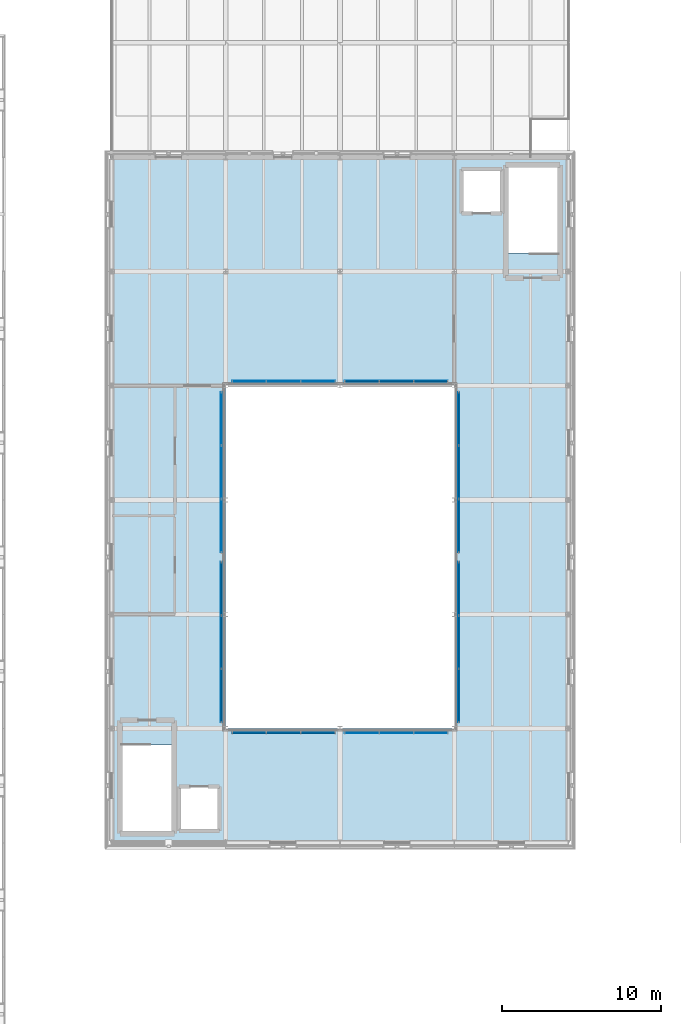
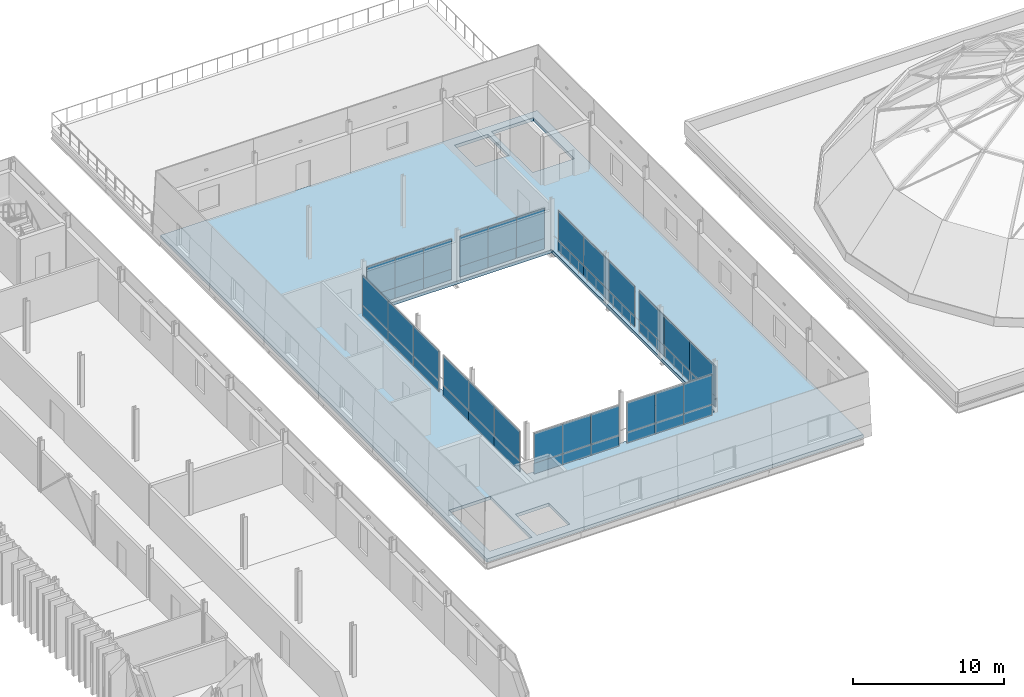
# One storey, part 29 of 66: 48 plates, 1 slab, 8 elements without a shape of their own.
"""IFC4 building model written with IfcOpenShell, lengths in metres."""

from ifc_helpers import new_model, si_unit, direction, frame, origin, origin_2d, place, context, subcontext, project, spatial, polyline, rectangle, outline, extrude, material, layer, layer_set, type_object, element, aggregate, save


model = new_model("IFC4")

# Units and contexts
model_context = context("Model", 3, precision=1e-05, world=origin(), true_north=direction((0.0, 1.0)))
body_context = subcontext(model_context, "Body", "Model", "MODEL_VIEW")
ifc_project = project(units=[si_unit("LENGTHUNIT", "METRE"), si_unit("AREAUNIT", "SQUARE_METRE"), si_unit("VOLUMEUNIT", "CUBIC_METRE"), si_unit("PLANEANGLEUNIT", "RADIAN"), si_unit("MASSUNIT", "GRAM", prefix="KILO")], contexts=[model_context])

# Site, building, storey
site_placement = place(None, origin())
site = spatial("IfcSite", under=ifc_project, at=site_placement, CompositionType="ELEMENT")
building_placement = place(site_placement, origin())
building = spatial("IfcBuilding", under=site, at=building_placement, Name="Narikvali Park Central Library", CompositionType="ELEMENT")
storey_placement = place(building_placement, frame((0.0, 0.0, 18.60009765625)))
storey = spatial("IfcBuildingStorey", under=building, at=storey_placement, Name="L04", CompositionType="ELEMENT", Elevation=18.60009765625)

# Curtain wall, plates
ifc_material_1 = material(Name="Anodised Bronze Aluminium", Category="aluminium")
ifc_layer_1 = layer(ifc_material_1, 0.219970703125, Name="Anodised Bronze Aluminium")
ifc_layer_set_1 = layer_set([ifc_layer_1], Name="Anodised Bronze Aluminium")
curtain_wall_type = type_object("IfcCurtainWallType", Name="Atrium Tall Curtain Wall System", PredefinedType="NOTDEFINED", material=ifc_layer_set_1)
curtain_wall_1_placement = place(storey_placement, origin())
curtain_wall_1 = element("IfcCurtainWall", 1, at=curtain_wall_1_placement, inside=storey, type_object=curtain_wall_type, Name="Atrium Tall Curtain Wall System CW-INT-V4-L04-W1", PredefinedType="NOTDEFINED")
ifc_material_2 = material(Name="Heavy Acoustic Laminated Clerestory Glazing", Category="glass")
ifc_layer_2 = layer(ifc_material_2, 0.06396484375, Name="Heavy Acoustic Laminated Clerestory Glazing")
ifc_layer_set_2 = layer_set([ifc_layer_2], Name="Heavy Acoustic Laminated Clerestory Glazing")
plate_type_1 = type_object("IfcPlateType", Name="Curtain Wall Clerestory Laminated Acoustic Glass 64", PredefinedType="CURTAIN_PANEL", material=ifc_layer_set_2)
plate_1_placement = place(storey_placement, frame((35.719970703125, 66.88330078125, 0.03466796875), z_axis=(0.0, 0.0, 1.0), x_axis=(0.0, 1.0, 0.0)))
plate_1 = element("IfcPlate", 2, at=plate_1_placement, type_object=plate_type_1, Name="CW-INT-V4-L04-W1 Panel 00-0", PredefinedType="CURTAIN_PANEL", context=body_context, shape_type="SweptSolid", body=[
    extrude(rectangle(XDim=3.356689453125, YDim=0.06396484375, at=origin_2d()), origin(), (0.0, 0.0, 1.0), 0.860107421875),
])
plate_2_placement = place(storey_placement, frame((35.719970703125, 70.25, 0.03466796875), z_axis=(0.0, 0.0, 1.0), x_axis=(0.0, 1.0, 0.0)))
plate_2 = element("IfcPlate", 3, at=plate_2_placement, type_object=plate_type_1, Name="CW-INT-V4-L04-W1 Panel 01-0", PredefinedType="CURTAIN_PANEL", context=body_context, shape_type="SweptSolid", body=[
    extrude(rectangle(XDim=3.356689453125, YDim=0.06396484375, at=origin_2d()), origin(), (0.0, 0.0, 1.0), 0.860107421875),
])
plate_3_placement = place(storey_placement, frame((35.719970703125, 73.61669921875, 0.03466796875), z_axis=(0.0, 0.0, 1.0), x_axis=(0.0, 1.0, 0.0)))
plate_3 = element("IfcPlate", 4, at=plate_3_placement, type_object=plate_type_1, Name="CW-INT-V4-L04-W1 Panel 02-0", PredefinedType="CURTAIN_PANEL", context=body_context, shape_type="SweptSolid", body=[
    extrude(rectangle(XDim=3.356689453125, YDim=0.06396484375, at=origin_2d()), origin(), (0.0, 0.0, 1.0), 0.860107421875),
])

curtain_wall_2_placement = place(storey_placement, origin())
curtain_wall_2 = element("IfcCurtainWall", 5, at=curtain_wall_2_placement, inside=storey, type_object=curtain_wall_type, Name="Atrium Tall Curtain Wall System CW-INT-V4-L04-E1", PredefinedType="NOTDEFINED")
plate_4_placement = place(storey_placement, frame((50.679931640625, 66.88330078125, 0.905029296875), z_axis=(0.0, 0.0, 1.0), x_axis=(0.0, 1.0, 0.0)))
plate_4 = element("IfcPlate", 6, at=plate_4_placement, type_object=plate_type_1, Name="CW-INT-V4-L04-E1 Panel 00-1", PredefinedType="CURTAIN_PANEL", context=body_context, shape_type="SweptSolid", body=[
    extrude(rectangle(XDim=3.356689453125, YDim=0.06396484375, at=origin_2d()), origin(), (0.0, 0.0, 1.0), 2.39990234375),
])
plate_5_placement = place(storey_placement, frame((50.679931640625, 70.25, 0.905029296875), z_axis=(0.0, 0.0, 1.0), x_axis=(0.0, 1.0, 0.0)))
plate_5 = element("IfcPlate", 7, at=plate_5_placement, type_object=plate_type_1, Name="CW-INT-V4-L04-E1 Panel 01-1", PredefinedType="CURTAIN_PANEL", context=body_context, shape_type="SweptSolid", body=[
    extrude(rectangle(XDim=3.356689453125, YDim=0.06396484375, at=origin_2d()), origin(), (0.0, 0.0, 1.0), 2.39990234375),
])
plate_6_placement = place(storey_placement, frame((50.679931640625, 73.61669921875, 0.905029296875), z_axis=(0.0, 0.0, 1.0), x_axis=(0.0, 1.0, 0.0)))
plate_6 = element("IfcPlate", 8, at=plate_6_placement, type_object=plate_type_1, Name="CW-INT-V4-L04-E1 Panel 02-1", PredefinedType="CURTAIN_PANEL", context=body_context, shape_type="SweptSolid", body=[
    extrude(rectangle(XDim=3.356689453125, YDim=0.06396484375, at=origin_2d()), origin(), (0.0, 0.0, 1.0), 2.39990234375),
])

curtain_wall_3_placement = place(storey_placement, origin())
curtain_wall_3 = element("IfcCurtainWall", 9, at=curtain_wall_3_placement, inside=storey, type_object=curtain_wall_type, Name="Atrium Tall Curtain Wall System CW-INT-V4-L04-E2", PredefinedType="NOTDEFINED")
plate_7_placement = place(storey_placement, frame((50.679931640625, 77.583251953125, 0.03466796875), z_axis=(0.0, 0.0, 1.0), x_axis=(0.0, 1.0, 0.0)))
plate_7 = element("IfcPlate", 10, at=plate_7_placement, type_object=plate_type_1, Name="CW-INT-V4-L04-E2 Panel 00-0", PredefinedType="CURTAIN_PANEL", context=body_context, shape_type="SweptSolid", body=[
    extrude(rectangle(XDim=3.356689453125, YDim=0.06396484375, at=origin_2d()), origin(), (0.0, 0.0, 1.0), 0.860107421875),
])
plate_8_placement = place(storey_placement, frame((50.679931640625, 80.949951171875, 0.03466796875), z_axis=(0.0, 0.0, 1.0), x_axis=(0.0, 1.0, 0.0)))
plate_8 = element("IfcPlate", 11, at=plate_8_placement, type_object=plate_type_1, Name="CW-INT-V4-L04-E2 Panel 01-0", PredefinedType="CURTAIN_PANEL", context=body_context, shape_type="SweptSolid", body=[
    extrude(rectangle(XDim=3.356689453125, YDim=0.06396484375, at=origin_2d()), origin(), (0.0, 0.0, 1.0), 0.860107421875),
])
plate_9_placement = place(storey_placement, frame((50.679931640625, 84.316650390625, 0.03466796875), z_axis=(0.0, 0.0, 1.0), x_axis=(0.0, 1.0, 0.0)))
plate_9 = element("IfcPlate", 12, at=plate_9_placement, type_object=plate_type_1, Name="CW-INT-V4-L04-E2 Panel 02-0", PredefinedType="CURTAIN_PANEL", context=body_context, shape_type="SweptSolid", body=[
    extrude(rectangle(XDim=3.356689453125, YDim=0.06396484375, at=origin_2d()), origin(), (0.0, 0.0, 1.0), 0.860107421875),
])

curtain_wall_4_placement = place(storey_placement, origin())
curtain_wall_4 = element("IfcCurtainWall", 13, at=curtain_wall_4_placement, inside=storey, type_object=curtain_wall_type, Name="Atrium Tall Curtain Wall System CW-INT-V4-L04-N2", PredefinedType="NOTDEFINED")
plate_10_placement = place(storey_placement, frame((44.583251953125, 86.679931640625, 0.905029296875), z_axis=(0.0, 0.0, 1.0), x_axis=(1.0, 0.0, 0.0)))
plate_10 = element("IfcPlate", 14, at=plate_10_placement, type_object=plate_type_1, Name="CW-INT-V4-L04-N2 Panel 00-1", PredefinedType="CURTAIN_PANEL", context=body_context, shape_type="SweptSolid", body=[
    extrude(rectangle(XDim=2.15673828125, YDim=0.06396484375, at=origin_2d()), origin(), (0.0, 0.0, 1.0), 2.39990234375),
])
plate_11_placement = place(storey_placement, frame((46.75, 86.679931640625, 0.905029296875), z_axis=(0.0, 0.0, 1.0), x_axis=(1.0, 0.0, 0.0)))
plate_11 = element("IfcPlate", 15, at=plate_11_placement, type_object=plate_type_1, Name="CW-INT-V4-L04-N2 Panel 01-1", PredefinedType="CURTAIN_PANEL", context=body_context, shape_type="SweptSolid", body=[
    extrude(rectangle(XDim=2.15673828125, YDim=0.06396484375, at=origin_2d()), origin(), (0.0, 0.0, 1.0), 2.39990234375),
])
plate_12_placement = place(storey_placement, frame((48.916748046875, 86.679931640625, 0.905029296875), z_axis=(0.0, 0.0, 1.0), x_axis=(1.0, 0.0, 0.0)))
plate_12 = element("IfcPlate", 16, at=plate_12_placement, type_object=plate_type_1, Name="CW-INT-V4-L04-N2 Panel 02-1", PredefinedType="CURTAIN_PANEL", context=body_context, shape_type="SweptSolid", body=[
    extrude(rectangle(XDim=2.15673828125, YDim=0.06396484375, at=origin_2d()), origin(), (0.0, 0.0, 1.0), 2.39990234375),
])

curtain_wall_5_placement = place(storey_placement, origin())
curtain_wall_5 = element("IfcCurtainWall", 17, at=curtain_wall_5_placement, inside=storey, type_object=curtain_wall_type, Name="Atrium Tall Curtain Wall System CW-INT-V4-L04-S1", PredefinedType="NOTDEFINED")
plate_13_placement = place(storey_placement, frame((37.4833984375, 64.52001953125, 0.03466796875), z_axis=(0.0, 0.0, 1.0), x_axis=(1.0, 0.0, 0.0)))
plate_13 = element("IfcPlate", 18, at=plate_13_placement, type_object=plate_type_1, Name="CW-INT-V4-L04-S1 Panel 00-0", PredefinedType="CURTAIN_PANEL", context=body_context, shape_type="SweptSolid", body=[
    extrude(rectangle(XDim=2.15673828125, YDim=0.06396484375, at=origin_2d()), origin(), (0.0, 0.0, 1.0), 0.860107421875),
])
plate_14_placement = place(storey_placement, frame((39.64990234375, 64.52001953125, 0.03466796875), z_axis=(0.0, 0.0, 1.0), x_axis=(1.0, 0.0, 0.0)))
plate_14 = element("IfcPlate", 19, at=plate_14_placement, type_object=plate_type_1, Name="CW-INT-V4-L04-S1 Panel 01-0", PredefinedType="CURTAIN_PANEL", context=body_context, shape_type="SweptSolid", body=[
    extrude(rectangle(XDim=2.15673828125, YDim=0.06396484375, at=origin_2d()), origin(), (0.0, 0.0, 1.0), 0.860107421875),
])
plate_15_placement = place(storey_placement, frame((41.816650390625, 64.52001953125, 0.03466796875), z_axis=(0.0, 0.0, 1.0), x_axis=(1.0, 0.0, 0.0)))
plate_15 = element("IfcPlate", 20, at=plate_15_placement, type_object=plate_type_1, Name="CW-INT-V4-L04-S1 Panel 02-0", PredefinedType="CURTAIN_PANEL", context=body_context, shape_type="SweptSolid", body=[
    extrude(rectangle(XDim=2.15673828125, YDim=0.06396484375, at=origin_2d()), origin(), (0.0, 0.0, 1.0), 0.860107421875),
])

# Plate
ifc_material_3 = material(Name="Double Low-E Tempered Vision Glazing", Category="glass")
ifc_layer_3 = layer(ifc_material_3, 0.035888671875, Name="Double Low-E Tempered Vision Glazing")
ifc_layer_set_3 = layer_set([ifc_layer_3], Name="Double Low-E Tempered Vision Glazing")
plate_type_2 = type_object("IfcPlateType", Name="Curtain Wall Double Low-E Vision Glazing 36", PredefinedType="CURTAIN_PANEL", material=ifc_layer_set_3)
plate_16_placement = place(storey_placement, frame((35.719970703125, 66.88330078125, 0.905029296875), z_axis=(0.0, 0.0, 1.0), x_axis=(0.0, 1.0, 0.0)))
plate_16 = element("IfcPlate", 21, at=plate_16_placement, type_object=plate_type_2, Name="CW-INT-V4-L04-W1 Panel 00-1", PredefinedType="CURTAIN_PANEL", context=body_context, shape_type="SweptSolid", body=[
    extrude(rectangle(XDim=3.356689453125, YDim=0.035888671875, at=origin_2d()), origin(), (0.0, 0.0, 1.0), 2.39990234375),
])

plate_17_placement = place(storey_placement, frame((35.719970703125, 70.25, 0.905029296875), z_axis=(0.0, 0.0, 1.0), x_axis=(0.0, 1.0, 0.0)))
plate_17 = element("IfcPlate", 22, at=plate_17_placement, type_object=plate_type_2, Name="CW-INT-V4-L04-W1 Panel 01-1", PredefinedType="CURTAIN_PANEL", context=body_context, shape_type="SweptSolid", body=[
    extrude(rectangle(XDim=3.356689453125, YDim=0.035888671875, at=origin_2d()), origin(), (0.0, 0.0, 1.0), 2.39990234375),
])

plate_18_placement = place(storey_placement, frame((35.719970703125, 73.61669921875, 0.905029296875), z_axis=(0.0, 0.0, 1.0), x_axis=(0.0, 1.0, 0.0)))
plate_18 = element("IfcPlate", 23, at=plate_18_placement, type_object=plate_type_2, Name="CW-INT-V4-L04-W1 Panel 02-1", PredefinedType="CURTAIN_PANEL", context=body_context, shape_type="SweptSolid", body=[
    extrude(rectangle(XDim=3.356689453125, YDim=0.035888671875, at=origin_2d()), origin(), (0.0, 0.0, 1.0), 2.39990234375),
])

aggregate(curtain_wall_1, [plate_1, plate_16, plate_2, plate_17, plate_3, plate_18])

# Curtain wall, plates
curtain_wall_6_placement = place(storey_placement, origin())
curtain_wall_6 = element("IfcCurtainWall", 24, at=curtain_wall_6_placement, inside=storey, type_object=curtain_wall_type, Name="Atrium Tall Curtain Wall System CW-INT-V4-L04-W2", PredefinedType="NOTDEFINED")
plate_19_placement = place(storey_placement, frame((35.719970703125, 77.583251953125, 0.03466796875), z_axis=(0.0, 0.0, 1.0), x_axis=(0.0, 1.0, 0.0)))
plate_19 = element("IfcPlate", 25, at=plate_19_placement, type_object=plate_type_2, Name="CW-INT-V4-L04-W2 Panel 00-0", PredefinedType="CURTAIN_PANEL", context=body_context, shape_type="SweptSolid", body=[
    extrude(rectangle(XDim=3.356689453125, YDim=0.035888671875, at=origin_2d()), origin(), (0.0, 0.0, 1.0), 0.860107421875),
])
plate_20_placement = place(storey_placement, frame((35.719970703125, 80.949951171875, 0.03466796875), z_axis=(0.0, 0.0, 1.0), x_axis=(0.0, 1.0, 0.0)))
plate_20 = element("IfcPlate", 26, at=plate_20_placement, type_object=plate_type_2, Name="CW-INT-V4-L04-W2 Panel 01-0", PredefinedType="CURTAIN_PANEL", context=body_context, shape_type="SweptSolid", body=[
    extrude(rectangle(XDim=3.356689453125, YDim=0.035888671875, at=origin_2d()), origin(), (0.0, 0.0, 1.0), 0.860107421875),
])
plate_21_placement = place(storey_placement, frame((35.719970703125, 84.316650390625, 0.03466796875), z_axis=(0.0, 0.0, 1.0), x_axis=(0.0, 1.0, 0.0)))
plate_21 = element("IfcPlate", 27, at=plate_21_placement, type_object=plate_type_2, Name="CW-INT-V4-L04-W2 Panel 02-0", PredefinedType="CURTAIN_PANEL", context=body_context, shape_type="SweptSolid", body=[
    extrude(rectangle(XDim=3.356689453125, YDim=0.035888671875, at=origin_2d()), origin(), (0.0, 0.0, 1.0), 0.860107421875),
])

# Plate
plate_22_placement = place(storey_placement, frame((50.679931640625, 77.583251953125, 0.905029296875), z_axis=(0.0, 0.0, 1.0), x_axis=(0.0, 1.0, 0.0)))
plate_22 = element("IfcPlate", 28, at=plate_22_placement, type_object=plate_type_2, Name="CW-INT-V4-L04-E2 Panel 00-1", PredefinedType="CURTAIN_PANEL", context=body_context, shape_type="SweptSolid", body=[
    extrude(rectangle(XDim=3.356689453125, YDim=0.035888671875, at=origin_2d()), origin(), (0.0, 0.0, 1.0), 2.39990234375),
])

plate_23_placement = place(storey_placement, frame((50.679931640625, 80.949951171875, 0.905029296875), z_axis=(0.0, 0.0, 1.0), x_axis=(0.0, 1.0, 0.0)))
plate_23 = element("IfcPlate", 29, at=plate_23_placement, type_object=plate_type_2, Name="CW-INT-V4-L04-E2 Panel 01-1", PredefinedType="CURTAIN_PANEL", context=body_context, shape_type="SweptSolid", body=[
    extrude(rectangle(XDim=3.356689453125, YDim=0.035888671875, at=origin_2d()), origin(), (0.0, 0.0, 1.0), 2.39990234375),
])

plate_24_placement = place(storey_placement, frame((50.679931640625, 84.316650390625, 0.905029296875), z_axis=(0.0, 0.0, 1.0), x_axis=(0.0, 1.0, 0.0)))
plate_24 = element("IfcPlate", 30, at=plate_24_placement, type_object=plate_type_2, Name="CW-INT-V4-L04-E2 Panel 02-1", PredefinedType="CURTAIN_PANEL", context=body_context, shape_type="SweptSolid", body=[
    extrude(rectangle(XDim=3.356689453125, YDim=0.035888671875, at=origin_2d()), origin(), (0.0, 0.0, 1.0), 2.39990234375),
])

aggregate(curtain_wall_3, [plate_7, plate_22, plate_8, plate_23, plate_9, plate_24])

# Curtain wall, plates
curtain_wall_7_placement = place(storey_placement, origin())
curtain_wall_7 = element("IfcCurtainWall", 31, at=curtain_wall_7_placement, inside=storey, type_object=curtain_wall_type, Name="Atrium Tall Curtain Wall System CW-INT-V4-L04-N1", PredefinedType="NOTDEFINED")
plate_25_placement = place(storey_placement, frame((37.4833984375, 86.679931640625, 0.03466796875), z_axis=(0.0, 0.0, 1.0), x_axis=(1.0, 0.0, 0.0)))
plate_25 = element("IfcPlate", 32, at=plate_25_placement, type_object=plate_type_2, Name="CW-INT-V4-L04-N1 Panel 00-0", PredefinedType="CURTAIN_PANEL", context=body_context, shape_type="SweptSolid", body=[
    extrude(rectangle(XDim=2.15673828125, YDim=0.035888671875, at=origin_2d()), origin(), (0.0, 0.0, 1.0), 0.860107421875),
])
plate_26_placement = place(storey_placement, frame((39.64990234375, 86.679931640625, 0.03466796875), z_axis=(0.0, 0.0, 1.0), x_axis=(1.0, 0.0, 0.0)))
plate_26 = element("IfcPlate", 33, at=plate_26_placement, type_object=plate_type_2, Name="CW-INT-V4-L04-N1 Panel 01-0", PredefinedType="CURTAIN_PANEL", context=body_context, shape_type="SweptSolid", body=[
    extrude(rectangle(XDim=2.15673828125, YDim=0.035888671875, at=origin_2d()), origin(), (0.0, 0.0, 1.0), 0.860107421875),
])
plate_27_placement = place(storey_placement, frame((41.816650390625, 86.679931640625, 0.03466796875), z_axis=(0.0, 0.0, 1.0), x_axis=(1.0, 0.0, 0.0)))
plate_27 = element("IfcPlate", 34, at=plate_27_placement, type_object=plate_type_2, Name="CW-INT-V4-L04-N1 Panel 02-0", PredefinedType="CURTAIN_PANEL", context=body_context, shape_type="SweptSolid", body=[
    extrude(rectangle(XDim=2.15673828125, YDim=0.035888671875, at=origin_2d()), origin(), (0.0, 0.0, 1.0), 0.860107421875),
])

# Plate
plate_28_placement = place(storey_placement, frame((37.4833984375, 64.52001953125, 0.905029296875), z_axis=(0.0, 0.0, 1.0), x_axis=(1.0, 0.0, 0.0)))
plate_28 = element("IfcPlate", 35, at=plate_28_placement, type_object=plate_type_2, Name="CW-INT-V4-L04-S1 Panel 00-1", PredefinedType="CURTAIN_PANEL", context=body_context, shape_type="SweptSolid", body=[
    extrude(rectangle(XDim=2.15673828125, YDim=0.035888671875, at=origin_2d()), origin(), (0.0, 0.0, 1.0), 2.39990234375),
])

plate_29_placement = place(storey_placement, frame((39.64990234375, 64.52001953125, 0.905029296875), z_axis=(0.0, 0.0, 1.0), x_axis=(1.0, 0.0, 0.0)))
plate_29 = element("IfcPlate", 36, at=plate_29_placement, type_object=plate_type_2, Name="CW-INT-V4-L04-S1 Panel 01-1", PredefinedType="CURTAIN_PANEL", context=body_context, shape_type="SweptSolid", body=[
    extrude(rectangle(XDim=2.15673828125, YDim=0.035888671875, at=origin_2d()), origin(), (0.0, 0.0, 1.0), 2.39990234375),
])

plate_30_placement = place(storey_placement, frame((41.816650390625, 64.52001953125, 0.905029296875), z_axis=(0.0, 0.0, 1.0), x_axis=(1.0, 0.0, 0.0)))
plate_30 = element("IfcPlate", 37, at=plate_30_placement, type_object=plate_type_2, Name="CW-INT-V4-L04-S1 Panel 02-1", PredefinedType="CURTAIN_PANEL", context=body_context, shape_type="SweptSolid", body=[
    extrude(rectangle(XDim=2.15673828125, YDim=0.035888671875, at=origin_2d()), origin(), (0.0, 0.0, 1.0), 2.39990234375),
])

aggregate(curtain_wall_5, [plate_13, plate_28, plate_14, plate_29, plate_15, plate_30])

# Curtain wall, plates
curtain_wall_8_placement = place(storey_placement, origin())
curtain_wall_8 = element("IfcCurtainWall", 38, at=curtain_wall_8_placement, inside=storey, type_object=curtain_wall_type, Name="Atrium Tall Curtain Wall System CW-INT-V4-L04-S2", PredefinedType="NOTDEFINED")
plate_31_placement = place(storey_placement, frame((44.583251953125, 64.52001953125, 0.03466796875), z_axis=(0.0, 0.0, 1.0), x_axis=(1.0, 0.0, 0.0)))
plate_31 = element("IfcPlate", 39, at=plate_31_placement, type_object=plate_type_2, Name="CW-INT-V4-L04-S2 Panel 00-0", PredefinedType="CURTAIN_PANEL", context=body_context, shape_type="SweptSolid", body=[
    extrude(rectangle(XDim=2.15673828125, YDim=0.035888671875, at=origin_2d()), origin(), (0.0, 0.0, 1.0), 0.860107421875),
])
plate_32_placement = place(storey_placement, frame((46.75, 64.52001953125, 0.03466796875), z_axis=(0.0, 0.0, 1.0), x_axis=(1.0, 0.0, 0.0)))
plate_32 = element("IfcPlate", 40, at=plate_32_placement, type_object=plate_type_2, Name="CW-INT-V4-L04-S2 Panel 01-0", PredefinedType="CURTAIN_PANEL", context=body_context, shape_type="SweptSolid", body=[
    extrude(rectangle(XDim=2.15673828125, YDim=0.035888671875, at=origin_2d()), origin(), (0.0, 0.0, 1.0), 0.860107421875),
])
plate_33_placement = place(storey_placement, frame((48.916748046875, 64.52001953125, 0.03466796875), z_axis=(0.0, 0.0, 1.0), x_axis=(1.0, 0.0, 0.0)))
plate_33 = element("IfcPlate", 41, at=plate_33_placement, type_object=plate_type_2, Name="CW-INT-V4-L04-S2 Panel 02-0", PredefinedType="CURTAIN_PANEL", context=body_context, shape_type="SweptSolid", body=[
    extrude(rectangle(XDim=2.15673828125, YDim=0.035888671875, at=origin_2d()), origin(), (0.0, 0.0, 1.0), 0.860107421875),
])

# Plate
ifc_material_4 = material(Name="Triple Low-E Acoustic Laminated Glazing", Category="glass")
ifc_layer_4 = layer(ifc_material_4, 0.048095703125, Name="Triple Low-E Acoustic Laminated Glazing")
ifc_layer_set_4 = layer_set([ifc_layer_4], Name="Triple Low-E Acoustic Laminated Glazing")
plate_type_3 = type_object("IfcPlateType", Name="Curtain Wall Triple Solar-Acoustic Glazing 48", PredefinedType="CURTAIN_PANEL", material=ifc_layer_set_4)
plate_34_placement = place(storey_placement, frame((35.719970703125, 77.583251953125, 0.905029296875), z_axis=(0.0, 0.0, 1.0), x_axis=(0.0, 1.0, 0.0)))
plate_34 = element("IfcPlate", 42, at=plate_34_placement, type_object=plate_type_3, Name="CW-INT-V4-L04-W2 Panel 00-1", PredefinedType="CURTAIN_PANEL", context=body_context, shape_type="SweptSolid", body=[
    extrude(rectangle(XDim=3.356689453125, YDim=0.048095703125, at=origin_2d()), origin(), (0.0, 0.0, 1.0), 2.39990234375),
])

plate_35_placement = place(storey_placement, frame((35.719970703125, 80.949951171875, 0.905029296875), z_axis=(0.0, 0.0, 1.0), x_axis=(0.0, 1.0, 0.0)))
plate_35 = element("IfcPlate", 43, at=plate_35_placement, type_object=plate_type_3, Name="CW-INT-V4-L04-W2 Panel 01-1", PredefinedType="CURTAIN_PANEL", context=body_context, shape_type="SweptSolid", body=[
    extrude(rectangle(XDim=3.356689453125, YDim=0.048095703125, at=origin_2d()), origin(), (0.0, 0.0, 1.0), 2.39990234375),
])

plate_36_placement = place(storey_placement, frame((35.719970703125, 84.316650390625, 0.905029296875), z_axis=(0.0, 0.0, 1.0), x_axis=(0.0, 1.0, 0.0)))
plate_36 = element("IfcPlate", 44, at=plate_36_placement, type_object=plate_type_3, Name="CW-INT-V4-L04-W2 Panel 02-1", PredefinedType="CURTAIN_PANEL", context=body_context, shape_type="SweptSolid", body=[
    extrude(rectangle(XDim=3.356689453125, YDim=0.048095703125, at=origin_2d()), origin(), (0.0, 0.0, 1.0), 2.39990234375),
])

aggregate(curtain_wall_6, [plate_19, plate_34, plate_20, plate_35, plate_21, plate_36])

plate_37_placement = place(storey_placement, frame((50.679931640625, 66.88330078125, 0.03466796875), z_axis=(0.0, 0.0, 1.0), x_axis=(0.0, 1.0, 0.0)))
plate_37 = element("IfcPlate", 45, at=plate_37_placement, type_object=plate_type_3, Name="CW-INT-V4-L04-E1 Panel 00-0", PredefinedType="CURTAIN_PANEL", context=body_context, shape_type="SweptSolid", body=[
    extrude(rectangle(XDim=3.356689453125, YDim=0.048095703125, at=origin_2d()), origin(), (0.0, 0.0, 1.0), 0.860107421875),
])

plate_38_placement = place(storey_placement, frame((50.679931640625, 70.25, 0.03466796875), z_axis=(0.0, 0.0, 1.0), x_axis=(0.0, 1.0, 0.0)))
plate_38 = element("IfcPlate", 46, at=plate_38_placement, type_object=plate_type_3, Name="CW-INT-V4-L04-E1 Panel 01-0", PredefinedType="CURTAIN_PANEL", context=body_context, shape_type="SweptSolid", body=[
    extrude(rectangle(XDim=3.356689453125, YDim=0.048095703125, at=origin_2d()), origin(), (0.0, 0.0, 1.0), 0.860107421875),
])

plate_39_placement = place(storey_placement, frame((50.679931640625, 73.61669921875, 0.03466796875), z_axis=(0.0, 0.0, 1.0), x_axis=(0.0, 1.0, 0.0)))
plate_39 = element("IfcPlate", 47, at=plate_39_placement, type_object=plate_type_3, Name="CW-INT-V4-L04-E1 Panel 02-0", PredefinedType="CURTAIN_PANEL", context=body_context, shape_type="SweptSolid", body=[
    extrude(rectangle(XDim=3.356689453125, YDim=0.048095703125, at=origin_2d()), origin(), (0.0, 0.0, 1.0), 0.860107421875),
])

aggregate(curtain_wall_2, [plate_37, plate_4, plate_38, plate_5, plate_39, plate_6])

plate_40_placement = place(storey_placement, frame((37.4833984375, 86.679931640625, 0.905029296875), z_axis=(0.0, 0.0, 1.0), x_axis=(1.0, 0.0, 0.0)))
plate_40 = element("IfcPlate", 48, at=plate_40_placement, type_object=plate_type_3, Name="CW-INT-V4-L04-N1 Panel 00-1", PredefinedType="CURTAIN_PANEL", context=body_context, shape_type="SweptSolid", body=[
    extrude(rectangle(XDim=2.15673828125, YDim=0.048095703125, at=origin_2d()), origin(), (0.0, 0.0, 1.0), 2.39990234375),
])

plate_41_placement = place(storey_placement, frame((39.64990234375, 86.679931640625, 0.905029296875), z_axis=(0.0, 0.0, 1.0), x_axis=(1.0, 0.0, 0.0)))
plate_41 = element("IfcPlate", 49, at=plate_41_placement, type_object=plate_type_3, Name="CW-INT-V4-L04-N1 Panel 01-1", PredefinedType="CURTAIN_PANEL", context=body_context, shape_type="SweptSolid", body=[
    extrude(rectangle(XDim=2.15673828125, YDim=0.048095703125, at=origin_2d()), origin(), (0.0, 0.0, 1.0), 2.39990234375),
])

plate_42_placement = place(storey_placement, frame((41.816650390625, 86.679931640625, 0.905029296875), z_axis=(0.0, 0.0, 1.0), x_axis=(1.0, 0.0, 0.0)))
plate_42 = element("IfcPlate", 50, at=plate_42_placement, type_object=plate_type_3, Name="CW-INT-V4-L04-N1 Panel 02-1", PredefinedType="CURTAIN_PANEL", context=body_context, shape_type="SweptSolid", body=[
    extrude(rectangle(XDim=2.15673828125, YDim=0.048095703125, at=origin_2d()), origin(), (0.0, 0.0, 1.0), 2.39990234375),
])

aggregate(curtain_wall_7, [plate_25, plate_40, plate_26, plate_41, plate_27, plate_42])

plate_43_placement = place(storey_placement, frame((44.583251953125, 86.679931640625, 0.03466796875), z_axis=(0.0, 0.0, 1.0), x_axis=(1.0, 0.0, 0.0)))
plate_43 = element("IfcPlate", 51, at=plate_43_placement, type_object=plate_type_3, Name="CW-INT-V4-L04-N2 Panel 00-0", PredefinedType="CURTAIN_PANEL", context=body_context, shape_type="SweptSolid", body=[
    extrude(rectangle(XDim=2.15673828125, YDim=0.048095703125, at=origin_2d()), origin(), (0.0, 0.0, 1.0), 0.860107421875),
])

plate_44_placement = place(storey_placement, frame((46.75, 86.679931640625, 0.03466796875), z_axis=(0.0, 0.0, 1.0), x_axis=(1.0, 0.0, 0.0)))
plate_44 = element("IfcPlate", 52, at=plate_44_placement, type_object=plate_type_3, Name="CW-INT-V4-L04-N2 Panel 01-0", PredefinedType="CURTAIN_PANEL", context=body_context, shape_type="SweptSolid", body=[
    extrude(rectangle(XDim=2.15673828125, YDim=0.048095703125, at=origin_2d()), origin(), (0.0, 0.0, 1.0), 0.860107421875),
])

plate_45_placement = place(storey_placement, frame((48.916748046875, 86.679931640625, 0.03466796875), z_axis=(0.0, 0.0, 1.0), x_axis=(1.0, 0.0, 0.0)))
plate_45 = element("IfcPlate", 53, at=plate_45_placement, type_object=plate_type_3, Name="CW-INT-V4-L04-N2 Panel 02-0", PredefinedType="CURTAIN_PANEL", context=body_context, shape_type="SweptSolid", body=[
    extrude(rectangle(XDim=2.15673828125, YDim=0.048095703125, at=origin_2d()), origin(), (0.0, 0.0, 1.0), 0.860107421875),
])

aggregate(curtain_wall_4, [plate_43, plate_10, plate_44, plate_11, plate_45, plate_12])

plate_46_placement = place(storey_placement, frame((44.583251953125, 64.52001953125, 0.905029296875), z_axis=(0.0, 0.0, 1.0), x_axis=(1.0, 0.0, 0.0)))
plate_46 = element("IfcPlate", 54, at=plate_46_placement, type_object=plate_type_3, Name="CW-INT-V4-L04-S2 Panel 00-1", PredefinedType="CURTAIN_PANEL", context=body_context, shape_type="SweptSolid", body=[
    extrude(rectangle(XDim=2.15673828125, YDim=0.048095703125, at=origin_2d()), origin(), (0.0, 0.0, 1.0), 2.39990234375),
])

plate_47_placement = place(storey_placement, frame((46.75, 64.52001953125, 0.905029296875), z_axis=(0.0, 0.0, 1.0), x_axis=(1.0, 0.0, 0.0)))
plate_47 = element("IfcPlate", 55, at=plate_47_placement, type_object=plate_type_3, Name="CW-INT-V4-L04-S2 Panel 01-1", PredefinedType="CURTAIN_PANEL", context=body_context, shape_type="SweptSolid", body=[
    extrude(rectangle(XDim=2.15673828125, YDim=0.048095703125, at=origin_2d()), origin(), (0.0, 0.0, 1.0), 2.39990234375),
])

plate_48_placement = place(storey_placement, frame((48.916748046875, 64.52001953125, 0.905029296875), z_axis=(0.0, 0.0, 1.0), x_axis=(1.0, 0.0, 0.0)))
plate_48 = element("IfcPlate", 56, at=plate_48_placement, type_object=plate_type_3, Name="CW-INT-V4-L04-S2 Panel 02-1", PredefinedType="CURTAIN_PANEL", context=body_context, shape_type="SweptSolid", body=[
    extrude(rectangle(XDim=2.15673828125, YDim=0.048095703125, at=origin_2d()), origin(), (0.0, 0.0, 1.0), 2.39990234375),
])

aggregate(curtain_wall_8, [plate_31, plate_46, plate_32, plate_47, plate_33, plate_48])

# Slab
ifc_material_5 = material(Name="Concrete C35/45", Category="concrete")
ifc_layer_5 = layer(ifc_material_5, 0.260009765625, Name="Concrete C35/45")
ifc_layer_set_5 = layer_set([ifc_layer_5], Name="Concrete C35/45")
slab_type = type_object("IfcSlabType", Name="Upper Composite Floor Slab 260", PredefinedType="FLOOR", material=ifc_layer_set_5)
slab_placement = place(storey_placement, frame((0.0, 0.0, -0.260009765625)))
element("IfcSlab", 57, at=slab_placement, inside=storey, type_object=slab_type, Name="V4 L04 Structural Slab", PredefinedType="FLOOR", context=body_context, shape_type="SweptSolid", body=[
    extrude(outline(polyline([(28.800048828125, 57.60009765625), (57.60009765625, 57.60009765625), (57.60009765625, 100.800048828125), (28.800048828125, 100.800048828125), (28.800048828125, 57.60009765625)]), holes=[polyline([(29.449951171875, 58.300048828125), (32.64990234375, 58.300048828125), (32.64990234375, 63.75), (29.449951171875, 63.75), (29.449951171875, 58.300048828125)]), polyline([(33.050048828125, 58.35009765625), (35.60009765625, 58.35009765625), (35.60009765625, 61.14990234375), (33.050048828125, 61.14990234375), (33.050048828125, 58.35009765625)]), polyline([(53.75, 94.75), (56.949951171875, 94.75), (56.949951171875, 100.199951171875), (53.75, 100.199951171875), (53.75, 94.75)]), polyline([(50.85009765625, 97.25), (53.39990234375, 97.25), (53.39990234375, 100.050048828125), (50.85009765625, 100.050048828125), (50.85009765625, 97.25)]), polyline([(36.0, 64.800048828125), (50.39990234375, 64.800048828125), (50.39990234375, 86.39990234375), (36.0, 86.39990234375), (36.0, 64.800048828125)])]), origin(), (0.0, 0.0, 1.0), 0.260009765625),
])

save(model, "model.ifc")
